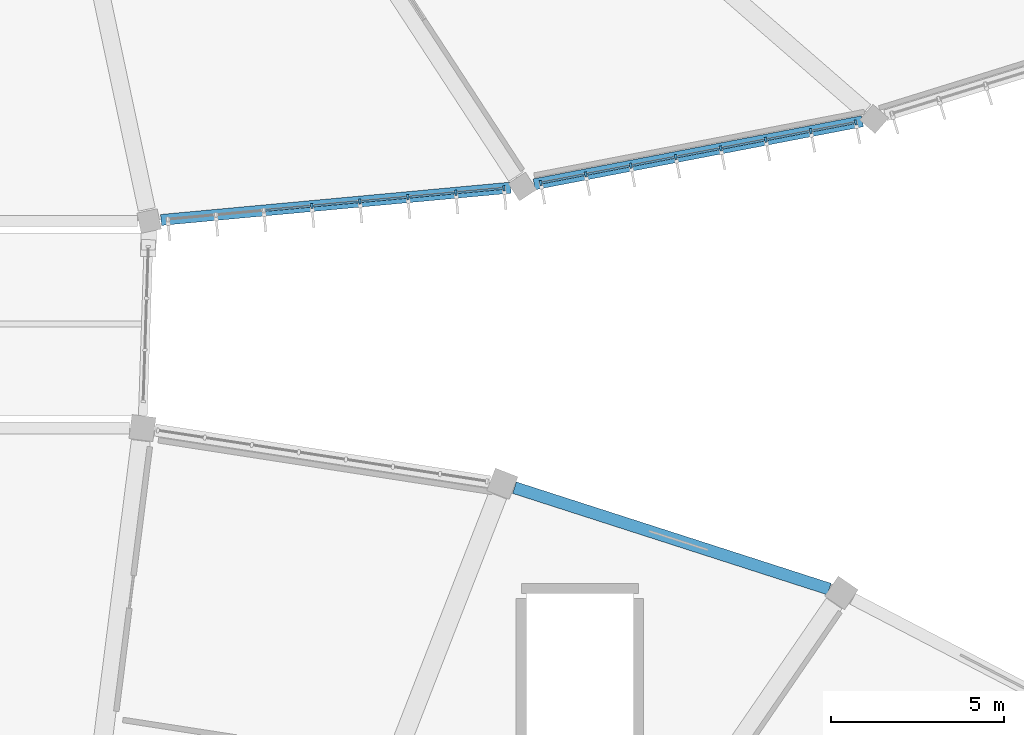
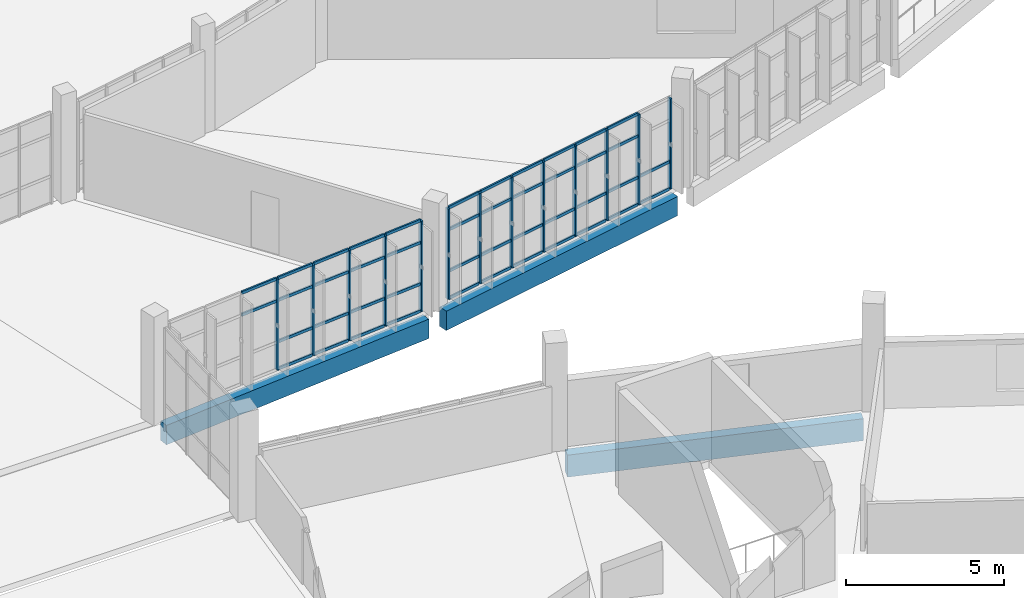
# One storey, part 35 of 142: 57 members, 3 beams, 2 elements without a shape of their own.
"""IFC4 building model written with IfcOpenShell, lengths in metres."""

from ifc_helpers import new_model, si_unit, direction, frame, origin, origin_2d, place, context, subcontext, project, spatial, rectangle, extrude, material, layer, layer_set, material_profile, profile_set, type_object, element, aggregate, save


model = new_model("IFC4")

# Units and contexts
model_context = context("Model", 3, precision=1e-05, world=origin(), true_north=direction((0.0, 1.0)))
body_context = subcontext(model_context, "Body", "Model", "MODEL_VIEW")
ifc_project = project(units=[si_unit("LENGTHUNIT", "METRE"), si_unit("AREAUNIT", "SQUARE_METRE"), si_unit("VOLUMEUNIT", "CUBIC_METRE"), si_unit("PLANEANGLEUNIT", "RADIAN"), si_unit("MASSUNIT", "GRAM", prefix="KILO")], contexts=[model_context])

# Site, building, storey
site_placement = place(None, origin())
site = spatial("IfcSite", under=ifc_project, at=site_placement, CompositionType="ELEMENT")
building_placement = place(site_placement, origin())
building = spatial("IfcBuilding", under=site, at=building_placement, Name="Corvandel Quay Wholesale Market", CompositionType="ELEMENT")
storey_placement = place(building_placement, frame((0.0, 0.0, 10.800048828125)))
storey = spatial("IfcBuildingStorey", under=building, at=storey_placement, Name="L02", CompositionType="ELEMENT", Elevation=10.800048828125)

# Curtain wall, members
ifc_material_1 = material(Name="Bronze anodised aluminium and low-E insulated glazing", Category="aluminium")
ifc_layer_1 = layer(ifc_material_1, 0.174072265625)
ifc_layer_set_1 = layer_set([ifc_layer_1], Name="Bronze anodised aluminium and low-E insulated glazing")
curtain_wall_type_1 = type_object("IfcCurtainWallType", Name="Stick Curtain Wall System CW07 H3630", PredefinedType="NOTDEFINED", material=ifc_layer_set_1)
curtain_wall_1_placement = place(storey_placement, origin())
curtain_wall_1 = element("IfcCurtainWall", 1, at=curtain_wall_1_placement, inside=storey, type_object=curtain_wall_type_1, Name="Curtain Wall CW-0117", PredefinedType="NOTDEFINED")
ifc_material_2 = material(Name="Anodised aluminium 6063-T6", Category="aluminium")
ifc_material_profile_1 = material_profile(ifc_material_2, rectangle(XDim=0.06494140625, YDim=0.14990234375, at=origin_2d()), Name="ALU-MUL-65x150")
ifc_profile_set_1 = profile_set([ifc_material_profile_1], Name="Anodised aluminium 6063-T6")
member_type_1 = type_object("IfcMemberType", Name="Curtain Wall Mullion ML02 65x150", PredefinedType="MULLION", material=ifc_profile_set_1)
member_1_placement = place(storey_placement, frame((124.2294921875, 90.435302734375, 0.0), z_axis=(0.0, 0.0, 1.0), x_axis=(0.995756880939, 0.092023008338, 0.0)))
member_1 = element("IfcMember", 2, at=member_1_placement, type_object=member_type_1, Name="Mullion CW-0117-M03", PredefinedType="MULLION", context=body_context, shape_type="SweptSolid", body=[
    extrude(rectangle(XDim=0.06494140625, YDim=0.14990234375, at=origin_2d()), origin(), (0.0, 0.0, 1.0), 3.5),
])
member_2_placement = place(storey_placement, frame((125.62158203125, 90.563720703125, 0.0), z_axis=(0.0, 0.0, 1.0), x_axis=(0.995756880939, 0.092023008338, 0.0)))
member_2 = element("IfcMember", 3, at=member_2_placement, type_object=member_type_1, Name="Mullion CW-0117-M04", PredefinedType="MULLION", context=body_context, shape_type="SweptSolid", body=[
    extrude(rectangle(XDim=0.06494140625, YDim=0.14990234375, at=origin_2d()), origin(), (0.0, 0.0, 1.0), 3.5),
])
member_3_placement = place(storey_placement, frame((127.013427734375, 90.6923828125, 0.0), z_axis=(0.0, 0.0, 1.0), x_axis=(0.995756880939, 0.092023008338, 0.0)))
member_3 = element("IfcMember", 4, at=member_3_placement, type_object=member_type_1, Name="Mullion CW-0117-M05", PredefinedType="MULLION", context=body_context, shape_type="SweptSolid", body=[
    extrude(rectangle(XDim=0.06494140625, YDim=0.14990234375, at=origin_2d()), origin(), (0.0, 0.0, 1.0), 3.5),
])
member_4_placement = place(storey_placement, frame((128.405517578125, 90.82080078125, 0.0), z_axis=(0.0, 0.0, 1.0), x_axis=(0.995756880939, 0.092023008338, 0.0)))
member_4 = element("IfcMember", 5, at=member_4_placement, type_object=member_type_1, Name="Mullion CW-0117-M06", PredefinedType="MULLION", context=body_context, shape_type="SweptSolid", body=[
    extrude(rectangle(XDim=0.06494140625, YDim=0.14990234375, at=origin_2d()), origin(), (0.0, 0.0, 1.0), 3.5),
])
member_5_placement = place(storey_placement, frame((129.79736328125, 90.94921875, 0.0), z_axis=(0.0, 0.0, 1.0), x_axis=(0.995756880939, 0.092023008338, 0.0)))
member_5 = element("IfcMember", 6, at=member_5_placement, type_object=member_type_1, Name="Mullion CW-0117-M07", PredefinedType="MULLION", context=body_context, shape_type="SweptSolid", body=[
    extrude(rectangle(XDim=0.06494140625, YDim=0.14990234375, at=origin_2d()), origin(), (0.0, 0.0, 1.0), 3.5),
])

ifc_layer_2 = layer(ifc_material_1, 0.18603515625)
ifc_layer_set_2 = layer_set([ifc_layer_2], Name="Bronze anodised aluminium and low-E insulated glazing")
curtain_wall_type_2 = type_object("IfcCurtainWallType", Name="Stick Curtain Wall System CW08 H3720", PredefinedType="NOTDEFINED", material=ifc_layer_set_2)
curtain_wall_2_placement = place(storey_placement, origin())
curtain_wall_2 = element("IfcCurtainWall", 7, at=curtain_wall_2_placement, inside=storey, type_object=curtain_wall_type_2, Name="Curtain Wall CW-0120", PredefinedType="NOTDEFINED")
member_6_placement = place(storey_placement, frame((130.865234375, 91.10107421875, 0.0), z_axis=(0.0, 0.0, 1.0), x_axis=(0.981991701121, 0.188924055984, 0.0)))
member_6 = element("IfcMember", 8, at=member_6_placement, type_object=member_type_1, Name="Mullion CW-0120-M00", PredefinedType="MULLION", context=body_context, shape_type="SweptSolid", body=[
    extrude(rectangle(XDim=0.06494140625, YDim=0.14990234375, at=origin_2d()), origin(), (0.0, 0.0, 1.0), 3.5),
])
member_7_placement = place(storey_placement, frame((132.169677734375, 91.351806640625, 0.0), z_axis=(0.0, 0.0, 1.0), x_axis=(0.981991701121, 0.188924055984, 0.0)))
member_7 = element("IfcMember", 9, at=member_7_placement, type_object=member_type_1, Name="Mullion CW-0120-M01", PredefinedType="MULLION", context=body_context, shape_type="SweptSolid", body=[
    extrude(rectangle(XDim=0.06494140625, YDim=0.14990234375, at=origin_2d()), origin(), (0.0, 0.0, 1.0), 3.5),
])
member_8_placement = place(storey_placement, frame((133.47412109375, 91.602783203125, 0.0), z_axis=(0.0, 0.0, 1.0), x_axis=(0.981991701121, 0.188924055984, 0.0)))
member_8 = element("IfcMember", 10, at=member_8_placement, type_object=member_type_1, Name="Mullion CW-0120-M02", PredefinedType="MULLION", context=body_context, shape_type="SweptSolid", body=[
    extrude(rectangle(XDim=0.06494140625, YDim=0.14990234375, at=origin_2d()), origin(), (0.0, 0.0, 1.0), 3.5),
])
member_9_placement = place(storey_placement, frame((134.7783203125, 91.853515625, 0.0), z_axis=(0.0, 0.0, 1.0), x_axis=(0.981991701121, 0.188924055984, 0.0)))
member_9 = element("IfcMember", 11, at=member_9_placement, type_object=member_type_1, Name="Mullion CW-0120-M03", PredefinedType="MULLION", context=body_context, shape_type="SweptSolid", body=[
    extrude(rectangle(XDim=0.06494140625, YDim=0.14990234375, at=origin_2d()), origin(), (0.0, 0.0, 1.0), 3.5),
])
member_10_placement = place(storey_placement, frame((136.082763671875, 92.1044921875, 0.0), z_axis=(0.0, 0.0, 1.0), x_axis=(0.981991701121, 0.188924055984, 0.0)))
member_10 = element("IfcMember", 12, at=member_10_placement, type_object=member_type_1, Name="Mullion CW-0120-M04", PredefinedType="MULLION", context=body_context, shape_type="SweptSolid", body=[
    extrude(rectangle(XDim=0.06494140625, YDim=0.14990234375, at=origin_2d()), origin(), (0.0, 0.0, 1.0), 3.5),
])
member_11_placement = place(storey_placement, frame((137.386962890625, 92.355224609375, 0.0), z_axis=(0.0, 0.0, 1.0), x_axis=(0.981991701121, 0.188924055984, 0.0)))
member_11 = element("IfcMember", 13, at=member_11_placement, type_object=member_type_1, Name="Mullion CW-0120-M05", PredefinedType="MULLION", context=body_context, shape_type="SweptSolid", body=[
    extrude(rectangle(XDim=0.06494140625, YDim=0.14990234375, at=origin_2d()), origin(), (0.0, 0.0, 1.0), 3.5),
])
member_12_placement = place(storey_placement, frame((138.69140625, 92.606201171875, 0.0), z_axis=(0.0, 0.0, 1.0), x_axis=(0.981991701121, 0.188924055984, 0.0)))
member_12 = element("IfcMember", 14, at=member_12_placement, type_object=member_type_1, Name="Mullion CW-0120-M06", PredefinedType="MULLION", context=body_context, shape_type="SweptSolid", body=[
    extrude(rectangle(XDim=0.06494140625, YDim=0.14990234375, at=origin_2d()), origin(), (0.0, 0.0, 1.0), 3.5),
])
member_13_placement = place(storey_placement, frame((139.99560546875, 92.85693359375, 0.0), z_axis=(0.0, 0.0, 1.0), x_axis=(0.981991701121, 0.188924055984, 0.0)))
member_13 = element("IfcMember", 15, at=member_13_placement, type_object=member_type_1, Name="Mullion CW-0120-M07", PredefinedType="MULLION", context=body_context, shape_type="SweptSolid", body=[
    extrude(rectangle(XDim=0.06494140625, YDim=0.14990234375, at=origin_2d()), origin(), (0.0, 0.0, 1.0), 3.5),
])

# Member
ifc_material_profile_2 = material_profile(ifc_material_2, rectangle(XDim=0.06005859375, YDim=0.110107421875, at=origin_2d()), Name="ALU-TRN-60x110")
ifc_profile_set_2 = profile_set([ifc_material_profile_2], Name="Anodised aluminium 6063-T6")
member_type_2 = type_object("IfcMemberType", Name="Curtain Wall Transom TR02 60x110", PredefinedType="USERDEFINED", material=ifc_profile_set_2)
member_14_placement = place(storey_placement, frame((122.869873046875, 90.309814453125, 2.64990234375), z_axis=(0.995764615635, 0.091939274793, 0.0), x_axis=(-0.091939274793, 0.995764615635, 0.0)))
member_14 = element("IfcMember", 16, at=member_14_placement, type_object=member_type_2, Name="Transom CW-0117-T02-2", ObjectType="TRANSOM", PredefinedType="USERDEFINED", context=body_context, shape_type="SweptSolid", body=[
    extrude(rectangle(XDim=0.06005859375, YDim=0.110107421875, at=origin_2d()), origin(), (0.0, 0.0, 1.0), 1.3330078125),
])

member_15_placement = place(storey_placement, frame((122.869873046875, 90.309814453125, 3.5), z_axis=(0.995764615635, 0.091939274793, 0.0), x_axis=(-0.091939274793, 0.995764615635, 0.0)))
member_15 = element("IfcMember", 17, at=member_15_placement, type_object=member_type_2, Name="Transom CW-0117-T02-3", ObjectType="TRANSOM", PredefinedType="USERDEFINED", context=body_context, shape_type="SweptSolid", body=[
    extrude(rectangle(XDim=0.06005859375, YDim=0.110107421875, at=origin_2d()), origin(), (0.0, 0.0, 1.0), 1.3330078125),
])

member_16_placement = place(storey_placement, frame((124.261962890625, 90.438232421875, 0.0), z_axis=(0.99576306711, 0.091956044829, 0.0), x_axis=(-0.091956044829, 0.99576306711, 0.0)))
member_16 = element("IfcMember", 18, at=member_16_placement, type_object=member_type_2, Name="Transom CW-0117-T03-0", ObjectType="TRANSOM", PredefinedType="USERDEFINED", context=body_context, shape_type="SweptSolid", body=[
    extrude(rectangle(XDim=0.06005859375, YDim=0.110107421875, at=origin_2d()), origin(), (0.0, 0.0, 1.0), 1.332763671875),
])

member_17_placement = place(storey_placement, frame((124.261962890625, 90.438232421875, 1.050048828125), z_axis=(0.99576306711, 0.091956044829, 0.0), x_axis=(-0.091956044829, 0.99576306711, 0.0)))
member_17 = element("IfcMember", 19, at=member_17_placement, type_object=member_type_2, Name="Transom CW-0117-T03-1", ObjectType="TRANSOM", PredefinedType="USERDEFINED", context=body_context, shape_type="SweptSolid", body=[
    extrude(rectangle(XDim=0.06005859375, YDim=0.110107421875, at=origin_2d()), origin(), (0.0, 0.0, 1.0), 1.332763671875),
])

member_18_placement = place(storey_placement, frame((124.261962890625, 90.438232421875, 2.64990234375), z_axis=(0.99576306711, 0.091956044829, 0.0), x_axis=(-0.091956044829, 0.99576306711, 0.0)))
member_18 = element("IfcMember", 20, at=member_18_placement, type_object=member_type_2, Name="Transom CW-0117-T03-2", ObjectType="TRANSOM", PredefinedType="USERDEFINED", context=body_context, shape_type="SweptSolid", body=[
    extrude(rectangle(XDim=0.06005859375, YDim=0.110107421875, at=origin_2d()), origin(), (0.0, 0.0, 1.0), 1.332763671875),
])

member_19_placement = place(storey_placement, frame((124.261962890625, 90.438232421875, 3.5), z_axis=(0.99576306711, 0.091956044829, 0.0), x_axis=(-0.091956044829, 0.99576306711, 0.0)))
member_19 = element("IfcMember", 21, at=member_19_placement, type_object=member_type_2, Name="Transom CW-0117-T03-3", ObjectType="TRANSOM", PredefinedType="USERDEFINED", context=body_context, shape_type="SweptSolid", body=[
    extrude(rectangle(XDim=0.06005859375, YDim=0.110107421875, at=origin_2d()), origin(), (0.0, 0.0, 1.0), 1.332763671875),
])

member_20_placement = place(storey_placement, frame((125.65380859375, 90.566650390625, 0.0), z_axis=(0.995764615635, 0.091939274793, 0.0), x_axis=(-0.091939274793, 0.995764615635, 0.0)))
member_20 = element("IfcMember", 22, at=member_20_placement, type_object=member_type_2, Name="Transom CW-0117-T04-0", ObjectType="TRANSOM", PredefinedType="USERDEFINED", context=body_context, shape_type="SweptSolid", body=[
    extrude(rectangle(XDim=0.06005859375, YDim=0.110107421875, at=origin_2d()), origin(), (0.0, 0.0, 1.0), 1.3330078125),
])

member_21_placement = place(storey_placement, frame((125.65380859375, 90.566650390625, 1.050048828125), z_axis=(0.995764615635, 0.091939274793, 0.0), x_axis=(-0.091939274793, 0.995764615635, 0.0)))
member_21 = element("IfcMember", 23, at=member_21_placement, type_object=member_type_2, Name="Transom CW-0117-T04-1", ObjectType="TRANSOM", PredefinedType="USERDEFINED", context=body_context, shape_type="SweptSolid", body=[
    extrude(rectangle(XDim=0.06005859375, YDim=0.110107421875, at=origin_2d()), origin(), (0.0, 0.0, 1.0), 1.3330078125),
])

member_22_placement = place(storey_placement, frame((125.65380859375, 90.566650390625, 2.64990234375), z_axis=(0.995764615635, 0.091939274793, 0.0), x_axis=(-0.091939274793, 0.995764615635, 0.0)))
member_22 = element("IfcMember", 24, at=member_22_placement, type_object=member_type_2, Name="Transom CW-0117-T04-2", ObjectType="TRANSOM", PredefinedType="USERDEFINED", context=body_context, shape_type="SweptSolid", body=[
    extrude(rectangle(XDim=0.06005859375, YDim=0.110107421875, at=origin_2d()), origin(), (0.0, 0.0, 1.0), 1.3330078125),
])

member_23_placement = place(storey_placement, frame((125.65380859375, 90.566650390625, 3.5), z_axis=(0.995764615635, 0.091939274793, 0.0), x_axis=(-0.091939274793, 0.995764615635, 0.0)))
member_23 = element("IfcMember", 25, at=member_23_placement, type_object=member_type_2, Name="Transom CW-0117-T04-3", ObjectType="TRANSOM", PredefinedType="USERDEFINED", context=body_context, shape_type="SweptSolid", body=[
    extrude(rectangle(XDim=0.06005859375, YDim=0.110107421875, at=origin_2d()), origin(), (0.0, 0.0, 1.0), 1.3330078125),
])

member_24_placement = place(storey_placement, frame((127.0458984375, 90.6953125, 0.0), z_axis=(0.99576306711, 0.091956044829, 0.0), x_axis=(-0.091956044829, 0.99576306711, 0.0)))
member_24 = element("IfcMember", 26, at=member_24_placement, type_object=member_type_2, Name="Transom CW-0117-T05-0", ObjectType="TRANSOM", PredefinedType="USERDEFINED", context=body_context, shape_type="SweptSolid", body=[
    extrude(rectangle(XDim=0.06005859375, YDim=0.110107421875, at=origin_2d()), origin(), (0.0, 0.0, 1.0), 1.332763671875),
])

member_25_placement = place(storey_placement, frame((127.0458984375, 90.6953125, 1.050048828125), z_axis=(0.99576306711, 0.091956044829, 0.0), x_axis=(-0.091956044829, 0.99576306711, 0.0)))
member_25 = element("IfcMember", 27, at=member_25_placement, type_object=member_type_2, Name="Transom CW-0117-T05-1", ObjectType="TRANSOM", PredefinedType="USERDEFINED", context=body_context, shape_type="SweptSolid", body=[
    extrude(rectangle(XDim=0.06005859375, YDim=0.110107421875, at=origin_2d()), origin(), (0.0, 0.0, 1.0), 1.332763671875),
])

member_26_placement = place(storey_placement, frame((127.0458984375, 90.6953125, 2.64990234375), z_axis=(0.99576306711, 0.091956044829, 0.0), x_axis=(-0.091956044829, 0.99576306711, 0.0)))
member_26 = element("IfcMember", 28, at=member_26_placement, type_object=member_type_2, Name="Transom CW-0117-T05-2", ObjectType="TRANSOM", PredefinedType="USERDEFINED", context=body_context, shape_type="SweptSolid", body=[
    extrude(rectangle(XDim=0.06005859375, YDim=0.110107421875, at=origin_2d()), origin(), (0.0, 0.0, 1.0), 1.332763671875),
])

member_27_placement = place(storey_placement, frame((127.0458984375, 90.6953125, 3.5), z_axis=(0.99576306711, 0.091956044829, 0.0), x_axis=(-0.091956044829, 0.99576306711, 0.0)))
member_27 = element("IfcMember", 29, at=member_27_placement, type_object=member_type_2, Name="Transom CW-0117-T05-3", ObjectType="TRANSOM", PredefinedType="USERDEFINED", context=body_context, shape_type="SweptSolid", body=[
    extrude(rectangle(XDim=0.06005859375, YDim=0.110107421875, at=origin_2d()), origin(), (0.0, 0.0, 1.0), 1.332763671875),
])

member_28_placement = place(storey_placement, frame((128.437744140625, 90.82373046875, 0.0), z_axis=(0.99576306711, 0.091956044829, 0.0), x_axis=(-0.091956044829, 0.99576306711, 0.0)))
member_28 = element("IfcMember", 30, at=member_28_placement, type_object=member_type_2, Name="Transom CW-0117-T06-0", ObjectType="TRANSOM", PredefinedType="USERDEFINED", context=body_context, shape_type="SweptSolid", body=[
    extrude(rectangle(XDim=0.06005859375, YDim=0.110107421875, at=origin_2d()), origin(), (0.0, 0.0, 1.0), 1.332763671875),
])

member_29_placement = place(storey_placement, frame((128.437744140625, 90.82373046875, 1.050048828125), z_axis=(0.99576306711, 0.091956044829, 0.0), x_axis=(-0.091956044829, 0.99576306711, 0.0)))
member_29 = element("IfcMember", 31, at=member_29_placement, type_object=member_type_2, Name="Transom CW-0117-T06-1", ObjectType="TRANSOM", PredefinedType="USERDEFINED", context=body_context, shape_type="SweptSolid", body=[
    extrude(rectangle(XDim=0.06005859375, YDim=0.110107421875, at=origin_2d()), origin(), (0.0, 0.0, 1.0), 1.332763671875),
])

member_30_placement = place(storey_placement, frame((128.437744140625, 90.82373046875, 2.64990234375), z_axis=(0.99576306711, 0.091956044829, 0.0), x_axis=(-0.091956044829, 0.99576306711, 0.0)))
member_30 = element("IfcMember", 32, at=member_30_placement, type_object=member_type_2, Name="Transom CW-0117-T06-2", ObjectType="TRANSOM", PredefinedType="USERDEFINED", context=body_context, shape_type="SweptSolid", body=[
    extrude(rectangle(XDim=0.06005859375, YDim=0.110107421875, at=origin_2d()), origin(), (0.0, 0.0, 1.0), 1.332763671875),
])

member_31_placement = place(storey_placement, frame((128.437744140625, 90.82373046875, 3.5), z_axis=(0.99576306711, 0.091956044829, 0.0), x_axis=(-0.091956044829, 0.99576306711, 0.0)))
member_31 = element("IfcMember", 33, at=member_31_placement, type_object=member_type_2, Name="Transom CW-0117-T06-3", ObjectType="TRANSOM", PredefinedType="USERDEFINED", context=body_context, shape_type="SweptSolid", body=[
    extrude(rectangle(XDim=0.06005859375, YDim=0.110107421875, at=origin_2d()), origin(), (0.0, 0.0, 1.0), 1.332763671875),
])

aggregate(curtain_wall_1, [member_1, member_2, member_3, member_4, member_5, member_14, member_15, member_16, member_17, member_18, member_19, member_20, member_21, member_22, member_23, member_24, member_25, member_26, member_27, member_28, member_29, member_30, member_31])

member_32_placement = place(storey_placement, frame((130.897216796875, 91.107177734375, 0.0), z_axis=(0.982010582361, 0.188825888401, 0.0), x_axis=(-0.188825888401, 0.982010582361, 0.0)))
member_32 = element("IfcMember", 34, at=member_32_placement, type_object=member_type_2, Name="Transom CW-0120-T00-0", ObjectType="TRANSOM", PredefinedType="USERDEFINED", context=body_context, shape_type="SweptSolid", body=[
    extrude(rectangle(XDim=0.06005859375, YDim=0.110107421875, at=origin_2d()), origin(), (0.0, 0.0, 1.0), 1.26318359375),
])

member_33_placement = place(storey_placement, frame((130.897216796875, 91.107177734375, 1.050048828125), z_axis=(0.982010582361, 0.188825888401, 0.0), x_axis=(-0.188825888401, 0.982010582361, 0.0)))
member_33 = element("IfcMember", 35, at=member_33_placement, type_object=member_type_2, Name="Transom CW-0120-T00-1", ObjectType="TRANSOM", PredefinedType="USERDEFINED", context=body_context, shape_type="SweptSolid", body=[
    extrude(rectangle(XDim=0.06005859375, YDim=0.110107421875, at=origin_2d()), origin(), (0.0, 0.0, 1.0), 1.26318359375),
])

member_34_placement = place(storey_placement, frame((130.897216796875, 91.107177734375, 2.64990234375), z_axis=(0.982010582361, 0.188825888401, 0.0), x_axis=(-0.188825888401, 0.982010582361, 0.0)))
member_34 = element("IfcMember", 36, at=member_34_placement, type_object=member_type_2, Name="Transom CW-0120-T00-2", ObjectType="TRANSOM", PredefinedType="USERDEFINED", context=body_context, shape_type="SweptSolid", body=[
    extrude(rectangle(XDim=0.06005859375, YDim=0.110107421875, at=origin_2d()), origin(), (0.0, 0.0, 1.0), 1.26318359375),
])

member_35_placement = place(storey_placement, frame((130.897216796875, 91.107177734375, 3.5), z_axis=(0.982010582361, 0.188825888401, 0.0), x_axis=(-0.188825888401, 0.982010582361, 0.0)))
member_35 = element("IfcMember", 37, at=member_35_placement, type_object=member_type_2, Name="Transom CW-0120-T00-3", ObjectType="TRANSOM", PredefinedType="USERDEFINED", context=body_context, shape_type="SweptSolid", body=[
    extrude(rectangle(XDim=0.06005859375, YDim=0.110107421875, at=origin_2d()), origin(), (0.0, 0.0, 1.0), 1.26318359375),
])

member_36_placement = place(storey_placement, frame((132.20166015625, 91.35791015625, 0.0), z_axis=(0.981974727909, 0.189012258196, 0.0), x_axis=(-0.189012258196, 0.981974727909, 0.0)))
member_36 = element("IfcMember", 38, at=member_36_placement, type_object=member_type_2, Name="Transom CW-0120-T01-0", ObjectType="TRANSOM", PredefinedType="USERDEFINED", context=body_context, shape_type="SweptSolid", body=[
    extrude(rectangle(XDim=0.06005859375, YDim=0.110107421875, at=origin_2d()), origin(), (0.0, 0.0, 1.0), 1.26318359375),
])

member_37_placement = place(storey_placement, frame((132.20166015625, 91.35791015625, 1.050048828125), z_axis=(0.981974727909, 0.189012258196, 0.0), x_axis=(-0.189012258196, 0.981974727909, 0.0)))
member_37 = element("IfcMember", 39, at=member_37_placement, type_object=member_type_2, Name="Transom CW-0120-T01-1", ObjectType="TRANSOM", PredefinedType="USERDEFINED", context=body_context, shape_type="SweptSolid", body=[
    extrude(rectangle(XDim=0.06005859375, YDim=0.110107421875, at=origin_2d()), origin(), (0.0, 0.0, 1.0), 1.26318359375),
])

member_38_placement = place(storey_placement, frame((132.20166015625, 91.35791015625, 2.64990234375), z_axis=(0.981974727909, 0.189012258196, 0.0), x_axis=(-0.189012258196, 0.981974727909, 0.0)))
member_38 = element("IfcMember", 40, at=member_38_placement, type_object=member_type_2, Name="Transom CW-0120-T01-2", ObjectType="TRANSOM", PredefinedType="USERDEFINED", context=body_context, shape_type="SweptSolid", body=[
    extrude(rectangle(XDim=0.06005859375, YDim=0.110107421875, at=origin_2d()), origin(), (0.0, 0.0, 1.0), 1.26318359375),
])

member_39_placement = place(storey_placement, frame((132.20166015625, 91.35791015625, 3.5), z_axis=(0.981974727909, 0.189012258196, 0.0), x_axis=(-0.189012258196, 0.981974727909, 0.0)))
member_39 = element("IfcMember", 41, at=member_39_placement, type_object=member_type_2, Name="Transom CW-0120-T01-3", ObjectType="TRANSOM", PredefinedType="USERDEFINED", context=body_context, shape_type="SweptSolid", body=[
    extrude(rectangle(XDim=0.06005859375, YDim=0.110107421875, at=origin_2d()), origin(), (0.0, 0.0, 1.0), 1.26318359375),
])

member_40_placement = place(storey_placement, frame((133.505859375, 91.60888671875, 0.0), z_axis=(0.982010582361, 0.188825888401, 0.0), x_axis=(-0.188825888401, 0.982010582361, 0.0)))
member_40 = element("IfcMember", 42, at=member_40_placement, type_object=member_type_2, Name="Transom CW-0120-T02-0", ObjectType="TRANSOM", PredefinedType="USERDEFINED", context=body_context, shape_type="SweptSolid", body=[
    extrude(rectangle(XDim=0.06005859375, YDim=0.110107421875, at=origin_2d()), origin(), (0.0, 0.0, 1.0), 1.26318359375),
])

member_41_placement = place(storey_placement, frame((133.505859375, 91.60888671875, 1.050048828125), z_axis=(0.982010582361, 0.188825888401, 0.0), x_axis=(-0.188825888401, 0.982010582361, 0.0)))
member_41 = element("IfcMember", 43, at=member_41_placement, type_object=member_type_2, Name="Transom CW-0120-T02-1", ObjectType="TRANSOM", PredefinedType="USERDEFINED", context=body_context, shape_type="SweptSolid", body=[
    extrude(rectangle(XDim=0.06005859375, YDim=0.110107421875, at=origin_2d()), origin(), (0.0, 0.0, 1.0), 1.26318359375),
])

member_42_placement = place(storey_placement, frame((133.505859375, 91.60888671875, 2.64990234375), z_axis=(0.982010582361, 0.188825888401, 0.0), x_axis=(-0.188825888401, 0.982010582361, 0.0)))
member_42 = element("IfcMember", 44, at=member_42_placement, type_object=member_type_2, Name="Transom CW-0120-T02-2", ObjectType="TRANSOM", PredefinedType="USERDEFINED", context=body_context, shape_type="SweptSolid", body=[
    extrude(rectangle(XDim=0.06005859375, YDim=0.110107421875, at=origin_2d()), origin(), (0.0, 0.0, 1.0), 1.26318359375),
])

member_43_placement = place(storey_placement, frame((133.505859375, 91.60888671875, 3.5), z_axis=(0.982010582361, 0.188825888401, 0.0), x_axis=(-0.188825888401, 0.982010582361, 0.0)))
member_43 = element("IfcMember", 45, at=member_43_placement, type_object=member_type_2, Name="Transom CW-0120-T02-3", ObjectType="TRANSOM", PredefinedType="USERDEFINED", context=body_context, shape_type="SweptSolid", body=[
    extrude(rectangle(XDim=0.06005859375, YDim=0.110107421875, at=origin_2d()), origin(), (0.0, 0.0, 1.0), 1.26318359375),
])

member_44_placement = place(storey_placement, frame((134.810302734375, 91.859619140625, 0.0), z_axis=(0.981974727909, 0.189012258196, 0.0), x_axis=(-0.189012258196, 0.981974727909, 0.0)))
member_44 = element("IfcMember", 46, at=member_44_placement, type_object=member_type_2, Name="Transom CW-0120-T03-0", ObjectType="TRANSOM", PredefinedType="USERDEFINED", context=body_context, shape_type="SweptSolid", body=[
    extrude(rectangle(XDim=0.06005859375, YDim=0.110107421875, at=origin_2d()), origin(), (0.0, 0.0, 1.0), 1.26318359375),
])

member_45_placement = place(storey_placement, frame((134.810302734375, 91.859619140625, 1.050048828125), z_axis=(0.981974727909, 0.189012258196, 0.0), x_axis=(-0.189012258196, 0.981974727909, 0.0)))
member_45 = element("IfcMember", 47, at=member_45_placement, type_object=member_type_2, Name="Transom CW-0120-T03-1", ObjectType="TRANSOM", PredefinedType="USERDEFINED", context=body_context, shape_type="SweptSolid", body=[
    extrude(rectangle(XDim=0.06005859375, YDim=0.110107421875, at=origin_2d()), origin(), (0.0, 0.0, 1.0), 1.26318359375),
])

member_46_placement = place(storey_placement, frame((134.810302734375, 91.859619140625, 2.64990234375), z_axis=(0.981974727909, 0.189012258196, 0.0), x_axis=(-0.189012258196, 0.981974727909, 0.0)))
member_46 = element("IfcMember", 48, at=member_46_placement, type_object=member_type_2, Name="Transom CW-0120-T03-2", ObjectType="TRANSOM", PredefinedType="USERDEFINED", context=body_context, shape_type="SweptSolid", body=[
    extrude(rectangle(XDim=0.06005859375, YDim=0.110107421875, at=origin_2d()), origin(), (0.0, 0.0, 1.0), 1.26318359375),
])

member_47_placement = place(storey_placement, frame((134.810302734375, 91.859619140625, 3.5), z_axis=(0.981974727909, 0.189012258196, 0.0), x_axis=(-0.189012258196, 0.981974727909, 0.0)))
member_47 = element("IfcMember", 49, at=member_47_placement, type_object=member_type_2, Name="Transom CW-0120-T03-3", ObjectType="TRANSOM", PredefinedType="USERDEFINED", context=body_context, shape_type="SweptSolid", body=[
    extrude(rectangle(XDim=0.06005859375, YDim=0.110107421875, at=origin_2d()), origin(), (0.0, 0.0, 1.0), 1.26318359375),
])

member_48_placement = place(storey_placement, frame((136.114501953125, 92.110595703125, 0.0), z_axis=(0.982010582361, 0.188825888401, 0.0), x_axis=(-0.188825888401, 0.982010582361, 0.0)))
member_48 = element("IfcMember", 50, at=member_48_placement, type_object=member_type_2, Name="Transom CW-0120-T04-0", ObjectType="TRANSOM", PredefinedType="USERDEFINED", context=body_context, shape_type="SweptSolid", body=[
    extrude(rectangle(XDim=0.06005859375, YDim=0.110107421875, at=origin_2d()), origin(), (0.0, 0.0, 1.0), 1.26318359375),
])

member_49_placement = place(storey_placement, frame((136.114501953125, 92.110595703125, 1.050048828125), z_axis=(0.982010582361, 0.188825888401, 0.0), x_axis=(-0.188825888401, 0.982010582361, 0.0)))
member_49 = element("IfcMember", 51, at=member_49_placement, type_object=member_type_2, Name="Transom CW-0120-T04-1", ObjectType="TRANSOM", PredefinedType="USERDEFINED", context=body_context, shape_type="SweptSolid", body=[
    extrude(rectangle(XDim=0.06005859375, YDim=0.110107421875, at=origin_2d()), origin(), (0.0, 0.0, 1.0), 1.26318359375),
])

member_50_placement = place(storey_placement, frame((136.114501953125, 92.110595703125, 2.64990234375), z_axis=(0.982010582361, 0.188825888401, 0.0), x_axis=(-0.188825888401, 0.982010582361, 0.0)))
member_50 = element("IfcMember", 52, at=member_50_placement, type_object=member_type_2, Name="Transom CW-0120-T04-2", ObjectType="TRANSOM", PredefinedType="USERDEFINED", context=body_context, shape_type="SweptSolid", body=[
    extrude(rectangle(XDim=0.06005859375, YDim=0.110107421875, at=origin_2d()), origin(), (0.0, 0.0, 1.0), 1.26318359375),
])

member_51_placement = place(storey_placement, frame((136.114501953125, 92.110595703125, 3.5), z_axis=(0.982010582361, 0.188825888401, 0.0), x_axis=(-0.188825888401, 0.982010582361, 0.0)))
member_51 = element("IfcMember", 53, at=member_51_placement, type_object=member_type_2, Name="Transom CW-0120-T04-3", ObjectType="TRANSOM", PredefinedType="USERDEFINED", context=body_context, shape_type="SweptSolid", body=[
    extrude(rectangle(XDim=0.06005859375, YDim=0.110107421875, at=origin_2d()), origin(), (0.0, 0.0, 1.0), 1.26318359375),
])

member_52_placement = place(storey_placement, frame((137.4189453125, 92.361328125, 0.0), z_axis=(0.981974727909, 0.189012258196, 0.0), x_axis=(-0.189012258196, 0.981974727909, 0.0)))
member_52 = element("IfcMember", 54, at=member_52_placement, type_object=member_type_2, Name="Transom CW-0120-T05-0", ObjectType="TRANSOM", PredefinedType="USERDEFINED", context=body_context, shape_type="SweptSolid", body=[
    extrude(rectangle(XDim=0.06005859375, YDim=0.110107421875, at=origin_2d()), origin(), (0.0, 0.0, 1.0), 1.26318359375),
])

member_53_placement = place(storey_placement, frame((137.4189453125, 92.361328125, 1.050048828125), z_axis=(0.981974727909, 0.189012258196, 0.0), x_axis=(-0.189012258196, 0.981974727909, 0.0)))
member_53 = element("IfcMember", 55, at=member_53_placement, type_object=member_type_2, Name="Transom CW-0120-T05-1", ObjectType="TRANSOM", PredefinedType="USERDEFINED", context=body_context, shape_type="SweptSolid", body=[
    extrude(rectangle(XDim=0.06005859375, YDim=0.110107421875, at=origin_2d()), origin(), (0.0, 0.0, 1.0), 1.26318359375),
])

member_54_placement = place(storey_placement, frame((137.4189453125, 92.361328125, 2.64990234375), z_axis=(0.981974727909, 0.189012258196, 0.0), x_axis=(-0.189012258196, 0.981974727909, 0.0)))
member_54 = element("IfcMember", 56, at=member_54_placement, type_object=member_type_2, Name="Transom CW-0120-T05-2", ObjectType="TRANSOM", PredefinedType="USERDEFINED", context=body_context, shape_type="SweptSolid", body=[
    extrude(rectangle(XDim=0.06005859375, YDim=0.110107421875, at=origin_2d()), origin(), (0.0, 0.0, 1.0), 1.26318359375),
])

member_55_placement = place(storey_placement, frame((137.4189453125, 92.361328125, 3.5), z_axis=(0.981974727909, 0.189012258196, 0.0), x_axis=(-0.189012258196, 0.981974727909, 0.0)))
member_55 = element("IfcMember", 57, at=member_55_placement, type_object=member_type_2, Name="Transom CW-0120-T05-3", ObjectType="TRANSOM", PredefinedType="USERDEFINED", context=body_context, shape_type="SweptSolid", body=[
    extrude(rectangle(XDim=0.06005859375, YDim=0.110107421875, at=origin_2d()), origin(), (0.0, 0.0, 1.0), 1.26318359375),
])

member_56_placement = place(storey_placement, frame((138.723388671875, 92.6123046875, 0.0), z_axis=(0.982010582361, 0.188825888401, 0.0), x_axis=(-0.188825888401, 0.982010582361, 0.0)))
member_56 = element("IfcMember", 58, at=member_56_placement, type_object=member_type_2, Name="Transom CW-0120-T06-0", ObjectType="TRANSOM", PredefinedType="USERDEFINED", context=body_context, shape_type="SweptSolid", body=[
    extrude(rectangle(XDim=0.06005859375, YDim=0.110107421875, at=origin_2d()), origin(), (0.0, 0.0, 1.0), 1.26318359375),
])

member_57_placement = place(storey_placement, frame((138.723388671875, 92.6123046875, 1.050048828125), z_axis=(0.982010582361, 0.188825888401, 0.0), x_axis=(-0.188825888401, 0.982010582361, 0.0)))
member_57 = element("IfcMember", 59, at=member_57_placement, type_object=member_type_2, Name="Transom CW-0120-T06-1", ObjectType="TRANSOM", PredefinedType="USERDEFINED", context=body_context, shape_type="SweptSolid", body=[
    extrude(rectangle(XDim=0.06005859375, YDim=0.110107421875, at=origin_2d()), origin(), (0.0, 0.0, 1.0), 1.26318359375),
])

aggregate(curtain_wall_2, [member_6, member_7, member_8, member_9, member_10, member_11, member_12, member_13, member_32, member_33, member_34, member_35, member_36, member_37, member_38, member_39, member_40, member_41, member_42, member_43, member_44, member_45, member_46, member_47, member_48, member_49, member_50, member_51, member_52, member_53, member_54, member_55, member_56, member_57])

# Beams
ifc_material_3 = material(Name="Precast concrete C45/55", Category="concrete")
ifc_material_profile_3 = material_profile(ifc_material_3, rectangle(XDim=0.320068359375, YDim=0.75, at=origin_2d()), Name="PC-SPN-320x750")
ifc_profile_set_3 = profile_set([ifc_material_profile_3], Name="Precast concrete C45/55")
beam_type_1 = type_object("IfcBeamType", Name="Pavilion Precast Spandrel SP02 320x750", PredefinedType="SPANDREL", material=ifc_profile_set_3)
beam_1_placement = place(storey_placement, frame((119.859619140625, 90.03173828125, -0.695068359375), z_axis=(0.995763975637, 0.091946206136, 0.0), x_axis=(-0.091946206136, 0.995763975637, 0.0)))
element("IfcBeam", 60, at=beam_1_placement, inside=storey, type_object=beam_type_1, Name="Beam BM-0699", PredefinedType="SPANDREL", context=body_context, shape_type="SweptSolid", body=[
    extrude(rectangle(XDim=0.320068359375, YDim=0.75, at=origin_2d()), origin(), (0.0, 0.0, 1.0), 10.175048828125),
])
beam_2_placement = place(storey_placement, frame((130.673828125, 91.064208984375, -0.695068359375), z_axis=(0.982004829196, 0.188855805938, 0.0), x_axis=(-0.188855805938, 0.982004829196, 0.0)))
element("IfcBeam", 61, at=beam_2_placement, inside=storey, type_object=beam_type_1, Name="Beam BM-0709", PredefinedType="SPANDREL", context=body_context, shape_type="SweptSolid", body=[
    extrude(rectangle(XDim=0.320068359375, YDim=0.75, at=origin_2d()), origin(), (0.0, 0.0, 1.0), 9.687744140625),
])
ifc_material_profile_4 = material_profile(ifc_material_3, rectangle(XDim=0.35009765625, YDim=0.85009765625, at=origin_2d()), Name="PC-SPN-350x850")
ifc_profile_set_4 = profile_set([ifc_material_profile_4], Name="Precast concrete C45/55")
beam_type_2 = type_object("IfcBeamType", Name="Perimeter Precast Spandrel SP01 350x850", PredefinedType="SPANDREL", material=ifc_profile_set_4)
beam_3_placement = place(storey_placement, frame((139.226806640625, 79.33349609375, -0.7451171875), z_axis=(-0.951833850624, 0.306614286696, 0.0), x_axis=(-0.306614286696, -0.951833850624, 0.0)))
element("IfcBeam", 62, at=beam_3_placement, inside=storey, type_object=beam_type_2, Name="Beam BM-0071", PredefinedType="SPANDREL", context=body_context, shape_type="SweptSolid", body=[
    extrude(rectangle(XDim=0.35009765625, YDim=0.85009765625, at=origin_2d()), origin(), (0.0, 0.0, 1.0), 9.585205078125),
])

save(model, "model.ifc")
